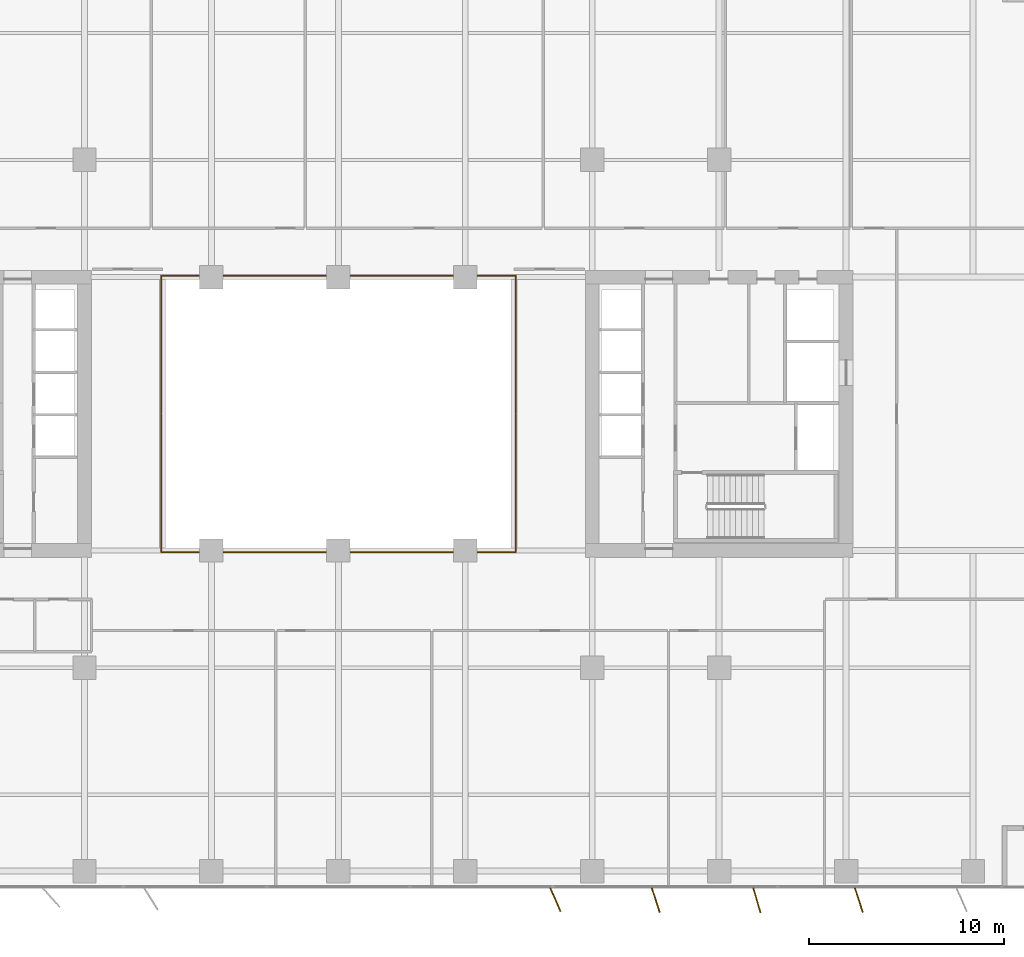
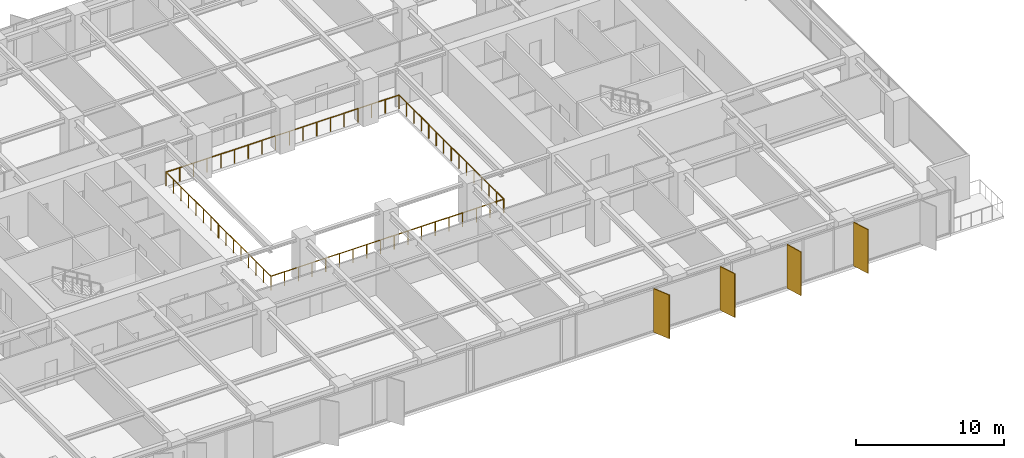
# One storey, part 18 of 20: 4 shading devices, 2 railings.
"""IFC4 building model written with IfcOpenShell, lengths in metres."""

from ifc_helpers import new_model, si_unit, direction, frame, origin, origin_2d, place, context, subcontext, project, spatial, rectangle, circle, extrude, material, layer, layer_set, type_object, element, save


model = new_model("IFC4")

# Units and contexts
model_context = context("Model", 3, precision=1e-05, world=origin(), true_north=direction((0.0, 1.0)))
body_context = subcontext(model_context, "Body", "Model", "MODEL_VIEW")
ifc_project = project(units=[si_unit("LENGTHUNIT", "METRE"), si_unit("AREAUNIT", "SQUARE_METRE"), si_unit("VOLUMEUNIT", "CUBIC_METRE"), si_unit("PLANEANGLEUNIT", "RADIAN"), si_unit("MASSUNIT", "GRAM", prefix="KILO")], contexts=[model_context])

# Site, building, storey
site_placement = place(None, origin())
site = spatial("IfcSite", under=ifc_project, at=site_placement, CompositionType="ELEMENT")
building_placement = place(site_placement, origin())
building = spatial("IfcBuilding", under=site, at=building_placement, Name="Putna Gate Headquarters", CompositionType="ELEMENT")
storey_placement = place(building_placement, frame((0.0, 0.0, 120.199951171875)))
storey = spatial("IfcBuildingStorey", under=building, at=storey_placement, Name="L29", CompositionType="ELEMENT", Elevation=120.199951171875)

# Railings
ifc_material_1 = material(Name="Anodised bronze and laminated glass atrium balustrade", Category="glass")
railing_type = type_object("IfcRailingType", Name="RAIL-ATRIUM-GUARD-1150", PredefinedType="GUARDRAIL", material=ifc_material_1)
railing_1_placement = place(storey_placement, frame((29.919921875, 25.969970703125, 0.0)))
element("IfcRailing", 1, at=railing_1_placement, inside=storey, type_object=railing_type, Name="L29 Central Atrium Glazed Balustrade South", PredefinedType="GUARDRAIL", context=body_context, shape_type="SweptSolid", body=[
    extrude(circle(Radius=0.02392578125, at=origin_2d()), frame((0.0, 0.0, 1.1259765625), z_axis=(0.0, -1.0, 0.0), x_axis=(1.0, 0.0, 0.0)), (0.0, 0.0, 1.0), 7.050048828125),
    extrude(circle(Radius=0.02392578125, at=origin_2d()), frame((0.0, -7.050048828125, 1.1259765625), z_axis=(1.0, 0.0, 0.0), x_axis=(0.0, 1.0, 0.0)), (0.0, 0.0, 1.0), 18.16015625),
    extrude(circle(Radius=0.02392578125, at=origin_2d()), frame((18.16015625, -7.050048828125, 1.1259765625), z_axis=(0.0, 1.0, 0.0), x_axis=(-1.0, 0.0, 0.0)), (0.0, 0.0, 1.0), 7.050048828125),
    extrude(circle(Radius=0.02099609375, at=origin_2d()), origin(), (0.0, 0.0, 1.0), 1.101806640625),
    extrude(circle(Radius=0.02099609375, at=origin_2d()), frame((0.0, -1.007080078125, 0.0)), (0.0, 0.0, 1.0), 1.101806640625),
    extrude(circle(Radius=0.02099609375, at=origin_2d()), frame((0.0, -2.014404296875, 0.0)), (0.0, 0.0, 1.0), 1.101806640625),
    extrude(circle(Radius=0.02099609375, at=origin_2d()), frame((0.0, -3.021484375, 0.0)), (0.0, 0.0, 1.0), 1.101806640625),
    extrude(circle(Radius=0.02099609375, at=origin_2d()), frame((0.0, -4.028564453125, 0.0)), (0.0, 0.0, 1.0), 1.101806640625),
    extrude(circle(Radius=0.02099609375, at=origin_2d()), frame((0.0, -5.03564453125, 0.0)), (0.0, 0.0, 1.0), 1.101806640625),
    extrude(circle(Radius=0.02099609375, at=origin_2d()), frame((0.0, -6.04296875, 0.0)), (0.0, 0.0, 1.0), 1.101806640625),
    extrude(circle(Radius=0.02099609375, at=origin_2d()), frame((0.0, -7.050048828125, 0.0)), (0.0, 0.0, 1.0), 1.101806640625),
    extrude(circle(Radius=0.02099609375, at=origin_2d()), frame((1.068359375, -7.050048828125, 0.0)), (0.0, 0.0, 1.0), 1.101806640625),
    extrude(circle(Radius=0.02099609375, at=origin_2d()), frame((2.136474609375, -7.050048828125, 0.0)), (0.0, 0.0, 1.0), 1.101806640625),
    extrude(circle(Radius=0.02099609375, at=origin_2d()), frame((3.204833984375, -7.050048828125, 0.0)), (0.0, 0.0, 1.0), 1.101806640625),
    extrude(circle(Radius=0.02099609375, at=origin_2d()), frame((4.27294921875, -7.050048828125, 0.0)), (0.0, 0.0, 1.0), 1.101806640625),
    extrude(circle(Radius=0.02099609375, at=origin_2d()), frame((5.34130859375, -7.050048828125, 0.0)), (0.0, 0.0, 1.0), 1.101806640625),
    extrude(circle(Radius=0.02099609375, at=origin_2d()), frame((6.409423828125, -7.050048828125, 0.0)), (0.0, 0.0, 1.0), 1.101806640625),
    extrude(circle(Radius=0.02099609375, at=origin_2d()), frame((7.477783203125, -7.050048828125, 0.0)), (0.0, 0.0, 1.0), 1.101806640625),
    extrude(circle(Radius=0.02099609375, at=origin_2d()), frame((8.5458984375, -7.050048828125, 0.0)), (0.0, 0.0, 1.0), 1.101806640625),
    extrude(circle(Radius=0.02099609375, at=origin_2d()), frame((9.6142578125, -7.050048828125, 0.0)), (0.0, 0.0, 1.0), 1.101806640625),
    extrude(circle(Radius=0.02099609375, at=origin_2d()), frame((10.682373046875, -7.050048828125, 0.0)), (0.0, 0.0, 1.0), 1.101806640625),
    extrude(circle(Radius=0.02099609375, at=origin_2d()), frame((11.750732421875, -7.050048828125, 0.0)), (0.0, 0.0, 1.0), 1.101806640625),
    extrude(circle(Radius=0.02099609375, at=origin_2d()), frame((12.81884765625, -7.050048828125, 0.0)), (0.0, 0.0, 1.0), 1.101806640625),
    extrude(circle(Radius=0.02099609375, at=origin_2d()), frame((13.88720703125, -7.050048828125, 0.0)), (0.0, 0.0, 1.0), 1.101806640625),
    extrude(circle(Radius=0.02099609375, at=origin_2d()), frame((14.955322265625, -7.050048828125, 0.0)), (0.0, 0.0, 1.0), 1.101806640625),
    extrude(circle(Radius=0.02099609375, at=origin_2d()), frame((16.023681640625, -7.050048828125, 0.0)), (0.0, 0.0, 1.0), 1.101806640625),
    extrude(circle(Radius=0.02099609375, at=origin_2d()), frame((17.091796875, -7.050048828125, 0.0)), (0.0, 0.0, 1.0), 1.101806640625),
    extrude(circle(Radius=0.02099609375, at=origin_2d()), frame((18.16015625, -7.050048828125, 0.0)), (0.0, 0.0, 1.0), 1.101806640625),
    extrude(circle(Radius=0.02099609375, at=origin_2d()), frame((18.16015625, -6.04296875, 0.0)), (0.0, 0.0, 1.0), 1.101806640625),
    extrude(circle(Radius=0.02099609375, at=origin_2d()), frame((18.16015625, -5.03564453125, 0.0)), (0.0, 0.0, 1.0), 1.101806640625),
    extrude(circle(Radius=0.02099609375, at=origin_2d()), frame((18.16015625, -4.028564453125, 0.0)), (0.0, 0.0, 1.0), 1.101806640625),
    extrude(circle(Radius=0.02099609375, at=origin_2d()), frame((18.16015625, -3.021484375, 0.0)), (0.0, 0.0, 1.0), 1.101806640625),
    extrude(circle(Radius=0.02099609375, at=origin_2d()), frame((18.16015625, -2.014404296875, 0.0)), (0.0, 0.0, 1.0), 1.101806640625),
    extrude(circle(Radius=0.02099609375, at=origin_2d()), frame((18.16015625, -1.007080078125, 0.0)), (0.0, 0.0, 1.0), 1.101806640625),
    extrude(circle(Radius=0.02099609375, at=origin_2d()), frame((18.16015625, 0.0, 0.0)), (0.0, 0.0, 1.0), 1.101806640625),
])
railing_2_placement = place(storey_placement, frame((48.080078125, 26.030029296875, 0.0)))
element("IfcRailing", 2, at=railing_2_placement, inside=storey, type_object=railing_type, Name="L29 Central Atrium Glazed Balustrade North", PredefinedType="GUARDRAIL", context=body_context, shape_type="SweptSolid", body=[
    extrude(circle(Radius=0.02392578125, at=origin_2d()), frame((0.0, 0.0, 1.1259765625), z_axis=(0.0, 1.0, 0.0), x_axis=(-1.0, 0.0, 0.0)), (0.0, 0.0, 1.0), 7.050048828125),
    extrude(circle(Radius=0.02392578125, at=origin_2d()), frame((0.0, 7.050048828125, 1.1259765625), z_axis=(-1.0, 0.0, 0.0), x_axis=(0.0, -1.0, 0.0)), (0.0, 0.0, 1.0), 18.16015625),
    extrude(circle(Radius=0.02392578125, at=origin_2d()), frame((-18.16015625, 7.050048828125, 1.1259765625), z_axis=(0.0, -1.0, 0.0), x_axis=(1.0, 0.0, 0.0)), (0.0, 0.0, 1.0), 7.050048828125),
    extrude(circle(Radius=0.02099609375, at=origin_2d()), origin(), (0.0, 0.0, 1.0), 1.101806640625),
    extrude(circle(Radius=0.02099609375, at=origin_2d()), frame((0.0, 1.007080078125, 0.0)), (0.0, 0.0, 1.0), 1.101806640625),
    extrude(circle(Radius=0.02099609375, at=origin_2d()), frame((0.0, 2.014404296875, 0.0)), (0.0, 0.0, 1.0), 1.101806640625),
    extrude(circle(Radius=0.02099609375, at=origin_2d()), frame((0.0, 3.021484375, 0.0)), (0.0, 0.0, 1.0), 1.101806640625),
    extrude(circle(Radius=0.02099609375, at=origin_2d()), frame((0.0, 4.028564453125, 0.0)), (0.0, 0.0, 1.0), 1.101806640625),
    extrude(circle(Radius=0.02099609375, at=origin_2d()), frame((0.0, 5.03564453125, 0.0)), (0.0, 0.0, 1.0), 1.101806640625),
    extrude(circle(Radius=0.02099609375, at=origin_2d()), frame((0.0, 6.04296875, 0.0)), (0.0, 0.0, 1.0), 1.101806640625),
    extrude(circle(Radius=0.02099609375, at=origin_2d()), frame((0.0, 7.050048828125, 0.0)), (0.0, 0.0, 1.0), 1.101806640625),
    extrude(circle(Radius=0.02099609375, at=origin_2d()), frame((-1.068359375, 7.050048828125, 0.0)), (0.0, 0.0, 1.0), 1.101806640625),
    extrude(circle(Radius=0.02099609375, at=origin_2d()), frame((-2.136474609375, 7.050048828125, 0.0)), (0.0, 0.0, 1.0), 1.101806640625),
    extrude(circle(Radius=0.02099609375, at=origin_2d()), frame((-3.204833984375, 7.050048828125, 0.0)), (0.0, 0.0, 1.0), 1.101806640625),
    extrude(circle(Radius=0.02099609375, at=origin_2d()), frame((-4.27294921875, 7.050048828125, 0.0)), (0.0, 0.0, 1.0), 1.101806640625),
    extrude(circle(Radius=0.02099609375, at=origin_2d()), frame((-5.34130859375, 7.050048828125, 0.0)), (0.0, 0.0, 1.0), 1.101806640625),
    extrude(circle(Radius=0.02099609375, at=origin_2d()), frame((-6.409423828125, 7.050048828125, 0.0)), (0.0, 0.0, 1.0), 1.101806640625),
    extrude(circle(Radius=0.02099609375, at=origin_2d()), frame((-7.477783203125, 7.050048828125, 0.0)), (0.0, 0.0, 1.0), 1.101806640625),
    extrude(circle(Radius=0.02099609375, at=origin_2d()), frame((-8.5458984375, 7.050048828125, 0.0)), (0.0, 0.0, 1.0), 1.101806640625),
    extrude(circle(Radius=0.02099609375, at=origin_2d()), frame((-9.6142578125, 7.050048828125, 0.0)), (0.0, 0.0, 1.0), 1.101806640625),
    extrude(circle(Radius=0.02099609375, at=origin_2d()), frame((-10.682373046875, 7.050048828125, 0.0)), (0.0, 0.0, 1.0), 1.101806640625),
    extrude(circle(Radius=0.02099609375, at=origin_2d()), frame((-11.750732421875, 7.050048828125, 0.0)), (0.0, 0.0, 1.0), 1.101806640625),
    extrude(circle(Radius=0.02099609375, at=origin_2d()), frame((-12.81884765625, 7.050048828125, 0.0)), (0.0, 0.0, 1.0), 1.101806640625),
    extrude(circle(Radius=0.02099609375, at=origin_2d()), frame((-13.88720703125, 7.050048828125, 0.0)), (0.0, 0.0, 1.0), 1.101806640625),
    extrude(circle(Radius=0.02099609375, at=origin_2d()), frame((-14.955322265625, 7.050048828125, 0.0)), (0.0, 0.0, 1.0), 1.101806640625),
    extrude(circle(Radius=0.02099609375, at=origin_2d()), frame((-16.023681640625, 7.050048828125, 0.0)), (0.0, 0.0, 1.0), 1.101806640625),
    extrude(circle(Radius=0.02099609375, at=origin_2d()), frame((-17.091796875, 7.050048828125, 0.0)), (0.0, 0.0, 1.0), 1.101806640625),
    extrude(circle(Radius=0.02099609375, at=origin_2d()), frame((-18.16015625, 7.050048828125, 0.0)), (0.0, 0.0, 1.0), 1.101806640625),
    extrude(circle(Radius=0.02099609375, at=origin_2d()), frame((-18.16015625, 6.04296875, 0.0)), (0.0, 0.0, 1.0), 1.101806640625),
    extrude(circle(Radius=0.02099609375, at=origin_2d()), frame((-18.16015625, 5.03564453125, 0.0)), (0.0, 0.0, 1.0), 1.101806640625),
    extrude(circle(Radius=0.02099609375, at=origin_2d()), frame((-18.16015625, 4.028564453125, 0.0)), (0.0, 0.0, 1.0), 1.101806640625),
    extrude(circle(Radius=0.02099609375, at=origin_2d()), frame((-18.16015625, 3.021484375, 0.0)), (0.0, 0.0, 1.0), 1.101806640625),
    extrude(circle(Radius=0.02099609375, at=origin_2d()), frame((-18.16015625, 2.014404296875, 0.0)), (0.0, 0.0, 1.0), 1.101806640625),
    extrude(circle(Radius=0.02099609375, at=origin_2d()), frame((-18.16015625, 1.007080078125, 0.0)), (0.0, 0.0, 1.0), 1.101806640625),
    extrude(circle(Radius=0.02099609375, at=origin_2d()), frame((-18.16015625, 0.0, 0.0)), (0.0, 0.0, 1.0), 1.101806640625),
])

# Shading devices
ifc_material_2 = material(Name="Anodised architectural bronze aluminium fin", Category="aluminium")
ifc_layer = layer(ifc_material_2, 0.06494140625)
ifc_layer_set = layer_set([ifc_layer], Name="Anodised architectural bronze aluminium fin")
shading_device_type = type_object("IfcShadingDeviceType", Name="SHADE-BRONZE-FIN-1320", PredefinedType="USERDEFINED", material=ifc_layer_set)
for number, where, z_axis, x_axis, name in (
    (3, (50.114501953125, 1.120361328125, -0.02001953125), (0.0, 0.0, 1.0), (0.400668879095, -0.916222925562, 0.0), "L29 Bronze Vertical Shading Fin S8"),
    (4, (55.253662109375, 1.09716796875, -0.02001953125), (0.0, 0.0, 1.0), (0.308684994204, -0.951164325631, 0.0), "L29 Bronze Vertical Shading Fin S9"),
    (5, (60.431884765625, 1.090576171875, -0.02001953125), (0.0, 0.0, 1.0), (0.275637355817, -0.961261695938, 0.0), "L29 Bronze Vertical Shading Fin S10"),
    (6, (65.65380859375, 1.09716796875, -0.02001953125), (0.0, 0.0, 1.0), (0.308684994204, -0.951164325631, 0.0), "L29 Bronze Vertical Shading Fin S11"),
):
    element("IfcShadingDevice", number, at=place(storey_placement, frame(where, z_axis=z_axis, x_axis=x_axis)), inside=storey, type_object=shading_device_type, Name=name, ObjectType="FIN", PredefinedType="USERDEFINED", context=body_context, shape_type="SweptSolid", body=[
        extrude(rectangle(XDim=1.320068359375, YDim=0.06494140625, at=origin_2d()), origin(), (0.0, 0.0, 1.0), 3.60498046875),
    ])

save(model, "model.ifc")
